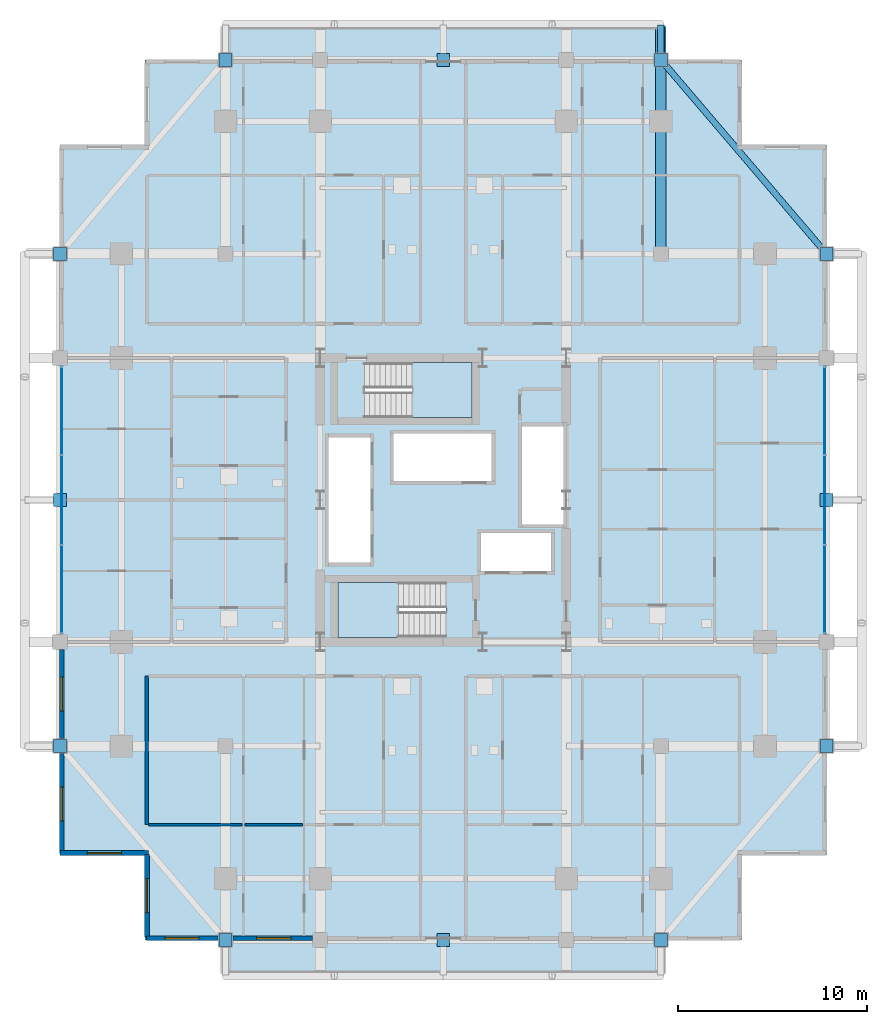
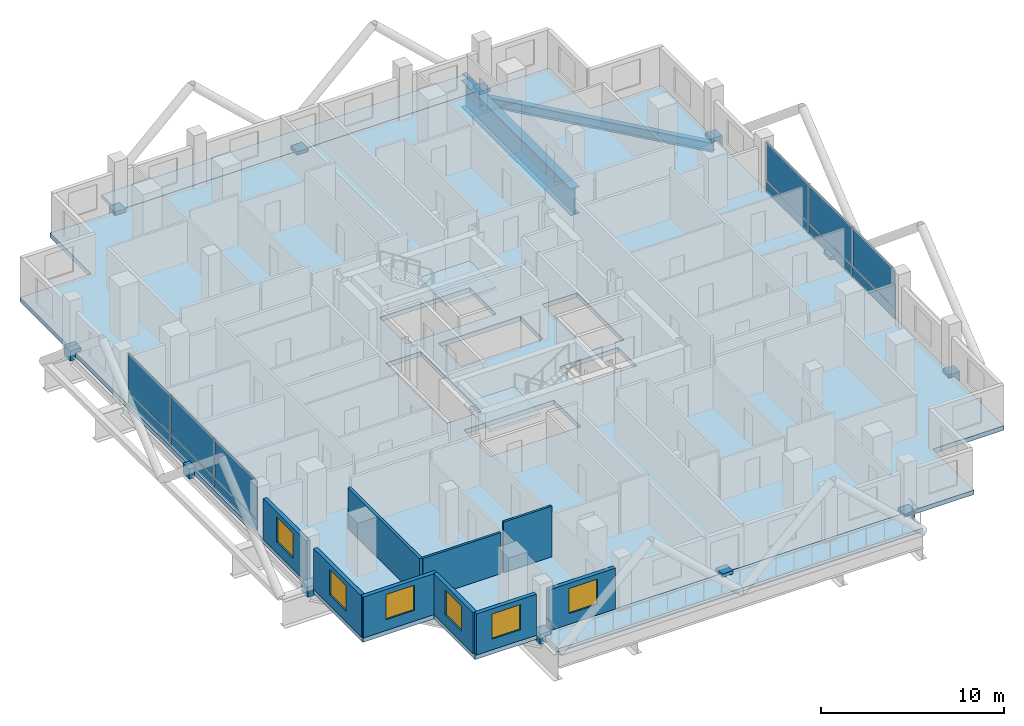
# One storey, part 13 of 21: 24 plates, 9 walls, 6 windows, 5 slabs, 2 beams, 1 member, 6 openings, 4 elements without a shape of their own.
"""IFC4 building model written with IfcOpenShell, lengths in metres."""

from ifc_helpers import new_model, si_unit, direction, frame, frame_2d, origin, origin_2d, place, context, subcontext, project, spatial, polyline, rectangle, hollow_circle, i_section, outline, extrude, material, layer, layer_set, material_profile, profile_set, type_object, element, fill, aggregate, save


model = new_model("IFC4")

# Units and contexts
model_context = context("Model", 3, precision=1e-05, world=origin(), true_north=direction((0.0, 1.0)))
body_context = subcontext(model_context, "Body", "Model", "MODEL_VIEW")
ifc_project = project(units=[si_unit("LENGTHUNIT", "METRE"), si_unit("AREAUNIT", "SQUARE_METRE"), si_unit("VOLUMEUNIT", "CUBIC_METRE"), si_unit("PLANEANGLEUNIT", "RADIAN"), si_unit("MASSUNIT", "GRAM", prefix="KILO")], contexts=[model_context])

# Site, building, storey
site_placement = place(None, origin())
site = spatial("IfcSite", under=ifc_project, at=site_placement, CompositionType="ELEMENT")
building_placement = place(site_placement, origin())
building = spatial("IfcBuilding", under=site, at=building_placement, Name="Barlavira Tower and Art Museum", CompositionType="ELEMENT")
storey_placement = place(building_placement, frame((0.0, 0.0, 99.0)))
storey = spatial("IfcBuildingStorey", under=building, at=storey_placement, Name="L24", CompositionType="ELEMENT", Elevation=99.0)

# Member
ifc_material_1 = material(Name="Steel S355", Category="steel")
ifc_material_profile_1 = material_profile(ifc_material_1, hollow_circle(Radius=0.177734375, WallThickness=0.01611328125, at=origin_2d()), Name="CHS 355.6x16.0")
ifc_profile_set_1 = profile_set([ifc_material_profile_1], Name="Steel S355")
member_type = type_object("IfcMemberType", Name="Pale-Metal Exoskeleton Tie Strut CHS 356x16 Steel S355", PredefinedType="STRUT", material=ifc_profile_set_1)
member_placement = place(storey_placement, frame((11.5, 25.10009765625, -0.1201171875), z_axis=(0.0, -1.0, 0.0), x_axis=(1.0, 0.0, 0.0)))
element("IfcMember", 1, at=member_placement, inside=storey, type_object=member_type, Name="L24 Exoskeleton Tie Strut N3", PredefinedType="STRUT", context=body_context, shape_type="SweptSolid", body=[
    extrude(hollow_circle(Radius=0.177734375, WallThickness=0.01611328125, at=origin_2d()), origin(), (0.0, 0.0, 1.0), 1.85009765625),
])

# Beams
ifc_material_profile_2 = material_profile(ifc_material_1, i_section(OverallWidth=0.327880859375, OverallDepth=0.62890625, WebThickness=0.013916015625, FlangeThickness=0.021484375, at=origin_2d()), Name="W610x174.0")
ifc_profile_set_2 = profile_set([ifc_material_profile_2], Name="Steel S355")
beam_type_1 = type_object("IfcBeamType", Name="Perimeter Spandrel Edge Beam W610x174 Steel S355", PredefinedType="SPANDREL", material=ifc_profile_set_2)
beam_1_placement = place(storey_placement, frame((20.25, 13.0, -0.614501953125), z_axis=(-0.649262379928, 0.760564502202, 0.0), x_axis=(-0.760564502202, -0.649262379928, 0.0)))
element("IfcBeam", 2, at=beam_1_placement, inside=storey, type_object=beam_type_1, Name="L24 Spandrel 8", PredefinedType="SPANDREL", context=body_context, shape_type="SweptSolid", body=[
    extrude(i_section(OverallWidth=0.327880859375, OverallDepth=0.62890625, WebThickness=0.013916015625, FlangeThickness=0.021484375, at=origin_2d()), origin(), (0.0, 0.0, 1.0), 13.476806640625),
])
ifc_material_profile_3 = material_profile(ifc_material_1, i_section(OverallWidth=0.550048828125, OverallDepth=1.800048828125, WebThickness=0.02587890625, FlangeThickness=0.033935546875, at=origin_2d()), Name="CVS1800x520")
ifc_profile_set_3 = profile_set([ifc_material_profile_3], Name="Steel S355")
beam_type_2 = type_object("IfcBeamType", Name="Zone Setback Transfer Girder CVS1800x520 Steel S355", PredefinedType="USERDEFINED", material=ifc_profile_set_3)
beam_2_placement = place(storey_placement, frame((11.5, 13.0, -1.199951171875), z_axis=(0.0, 1.0, 0.0), x_axis=(-1.0, 0.0, 0.0)))
element("IfcBeam", 3, at=beam_2_placement, inside=storey, type_object=beam_type_2, Name="L24 Setback Transfer Girder TGL24-06", ObjectType="TRANSFER GIRDER", PredefinedType="USERDEFINED", context=body_context, shape_type="SweptSolid", body=[
    extrude(i_section(OverallWidth=0.550048828125, OverallDepth=1.800048828125, WebThickness=0.02587890625, FlangeThickness=0.033935546875, at=origin_2d()), origin(), (0.0, 0.0, 1.0), 12.0),
])

# Slabs
ifc_material_2 = material(Name="Concrete C50", Category="concrete")
ifc_layer_1 = layer(ifc_material_2, 0.239990234375, Name="Concrete C50")
ifc_layer_set_1 = layer_set([ifc_layer_1], Name="Concrete C50")
slab_type_1 = type_object("IfcSlabType", Name="Cascading Garden and Lookout Terrace Slab 240 Concrete C50", PredefinedType="FLOOR", material=ifc_layer_set_1)
slab_1_placement = place(storey_placement, frame((0.0, 0.0, -0.239990234375)))
element("IfcSlab", 4, at=slab_1_placement, inside=storey, type_object=slab_type_1, Name="L24 South Setback Terrace Slab", PredefinedType="FLOOR", context=body_context, shape_type="SweptSolid", body=[
    extrude(outline(polyline([(-11.5, -25.0), (11.5, -25.0), (11.5, -23.25), (-11.5, -23.25), (-11.5, -25.0)])), origin(), (0.0, 0.0, 1.0), 0.239990234375),
])
slab_2_placement = place(storey_placement, frame((0.0, 0.0, -0.239990234375)))
element("IfcSlab", 5, at=slab_2_placement, inside=storey, type_object=slab_type_1, Name="L24 North Setback Terrace Slab", PredefinedType="FLOOR", context=body_context, shape_type="SweptSolid", body=[
    extrude(outline(polyline([(-11.5, 23.25), (11.5, 23.25), (11.5, 25.0), (-11.5, 25.0), (-11.5, 23.25)])), origin(), (0.0, 0.0, 1.0), 0.239990234375),
])

# Curtain wall, plates
ifc_material_3 = material(Name="Low-iron coastal laminated glass", Category="glass")
ifc_layer_2 = layer(ifc_material_3, 0.18994140625, Name="Low-iron coastal laminated glass")
ifc_layer_set_2 = layer_set([ifc_layer_2], Name="Low-iron coastal laminated glass")
curtain_wall_type = type_object("IfcCurtainWallType", Name="Pale-Metal Unitised Curtain Wall Zone 2", PredefinedType="NOTDEFINED", material=ifc_layer_set_2)
curtain_wall_1_placement = place(storey_placement, origin())
curtain_wall_1 = element("IfcCurtainWall", 6, at=curtain_wall_1_placement, inside=storey, type_object=curtain_wall_type, Name="L24 Curtain Wall CW2-L24-W-B3", PredefinedType="NOTDEFINED")
ifc_material_4 = material(Name="Pale anodised aluminium", Category="aluminium")
ifc_layer_3 = layer(ifc_material_4, 0.044921875, Name="Pale anodised aluminium")
ifc_layer_set_3 = layer_set([ifc_layer_3], Name="Pale anodised aluminium")
plate_type_1 = type_object("IfcPlateType", Name="Curtain Wall Pale-Metal Spandrel Panel 45", PredefinedType="CURTAIN_PANEL", material=ifc_layer_set_3)
plate_1_placement = place(storey_placement, frame((-20.14990234375, 4.719970703125, 0.0400390625), z_axis=(0.0, 0.0, 1.0), x_axis=(0.0, -1.0, 0.0)))
plate_1 = element("IfcPlate", 7, at=plate_1_placement, type_object=plate_type_1, Name="CW2-L24-W-B3 Spandrel Panel 0", PredefinedType="CURTAIN_PANEL", context=body_context, shape_type="SweptSolid", body=[
    extrude(rectangle(XDim=4.6201171875, YDim=0.044921875, at=origin_2d()), origin(), (0.0, 0.0, 1.0), 0.6640625),
])
plate_2_placement = place(storey_placement, frame((-20.14990234375, 0.0, 0.0400390625), z_axis=(0.0, 0.0, 1.0), x_axis=(0.0, -1.0, 0.0)))
plate_2 = element("IfcPlate", 8, at=plate_2_placement, type_object=plate_type_1, Name="CW2-L24-W-B3 Spandrel Panel 1", PredefinedType="CURTAIN_PANEL", context=body_context, shape_type="SweptSolid", body=[
    extrude(rectangle(XDim=4.6201171875, YDim=0.044921875, at=origin_2d()), origin(), (0.0, 0.0, 1.0), 0.6640625),
])
plate_3_placement = place(storey_placement, frame((-20.14990234375, -4.719970703125, 0.0400390625), z_axis=(0.0, 0.0, 1.0), x_axis=(0.0, -1.0, 0.0)))
plate_3 = element("IfcPlate", 9, at=plate_3_placement, type_object=plate_type_1, Name="CW2-L24-W-B3 Spandrel Panel 2", PredefinedType="CURTAIN_PANEL", context=body_context, shape_type="SweptSolid", body=[
    extrude(rectangle(XDim=4.6201171875, YDim=0.044921875, at=origin_2d()), origin(), (0.0, 0.0, 1.0), 0.6640625),
])

curtain_wall_2_placement = place(storey_placement, origin())
curtain_wall_2 = element("IfcCurtainWall", 10, at=curtain_wall_2_placement, inside=storey, type_object=curtain_wall_type, Name="L24 Curtain Wall CW2-L24-E-B3", PredefinedType="NOTDEFINED")
plate_4_placement = place(storey_placement, frame((20.14990234375, -4.719970703125, 0.0400390625), z_axis=(0.0, 0.0, 1.0), x_axis=(0.0, 1.0, 0.0)))
plate_4 = element("IfcPlate", 11, at=plate_4_placement, type_object=plate_type_1, Name="CW2-L24-E-B3 Spandrel Panel 0", PredefinedType="CURTAIN_PANEL", context=body_context, shape_type="SweptSolid", body=[
    extrude(rectangle(XDim=4.6201171875, YDim=0.044921875, at=origin_2d()), origin(), (0.0, 0.0, 1.0), 0.6640625),
])
plate_5_placement = place(storey_placement, frame((20.14990234375, 0.0, 0.0400390625), z_axis=(0.0, 0.0, 1.0), x_axis=(0.0, 1.0, 0.0)))
plate_5 = element("IfcPlate", 12, at=plate_5_placement, type_object=plate_type_1, Name="CW2-L24-E-B3 Spandrel Panel 1", PredefinedType="CURTAIN_PANEL", context=body_context, shape_type="SweptSolid", body=[
    extrude(rectangle(XDim=4.6201171875, YDim=0.044921875, at=origin_2d()), origin(), (0.0, 0.0, 1.0), 0.6640625),
])
plate_6_placement = place(storey_placement, frame((20.14990234375, 4.719970703125, 0.0400390625), z_axis=(0.0, 0.0, 1.0), x_axis=(0.0, 1.0, 0.0)))
plate_6 = element("IfcPlate", 13, at=plate_6_placement, type_object=plate_type_1, Name="CW2-L24-E-B3 Spandrel Panel 2", PredefinedType="CURTAIN_PANEL", context=body_context, shape_type="SweptSolid", body=[
    extrude(rectangle(XDim=4.6201171875, YDim=0.044921875, at=origin_2d()), origin(), (0.0, 0.0, 1.0), 0.6640625),
])

# Plate
ifc_layer_4 = layer(ifc_material_3, 0.028076171875, Name="Low-iron coastal laminated glass")
ifc_layer_set_4 = layer_set([ifc_layer_4], Name="Low-iron coastal laminated glass")
plate_type_2 = type_object("IfcPlateType", Name="Curtain Wall Vision Glazing Panel 28", PredefinedType="CURTAIN_PANEL", material=ifc_layer_set_4)
plate_7_placement = place(storey_placement, frame((-20.14990234375, 4.719970703125, 0.7841796875), z_axis=(0.0, 0.0, 1.0), x_axis=(0.0, -1.0, 0.0)))
plate_7 = element("IfcPlate", 14, at=plate_7_placement, type_object=plate_type_2, Name="CW2-L24-W-B3 Vision Glass Panel 0", PredefinedType="CURTAIN_PANEL", context=body_context, shape_type="SweptSolid", body=[
    extrude(rectangle(XDim=4.6201171875, YDim=0.028076171875, at=origin_2d()), origin(), (0.0, 0.0, 1.0), 2.555908203125),
])

plate_8_placement = place(storey_placement, frame((-20.14990234375, 0.0, 0.7841796875), z_axis=(0.0, 0.0, 1.0), x_axis=(0.0, -1.0, 0.0)))
plate_8 = element("IfcPlate", 15, at=plate_8_placement, type_object=plate_type_2, Name="CW2-L24-W-B3 Vision Glass Panel 1", PredefinedType="CURTAIN_PANEL", context=body_context, shape_type="SweptSolid", body=[
    extrude(rectangle(XDim=4.6201171875, YDim=0.028076171875, at=origin_2d()), origin(), (0.0, 0.0, 1.0), 2.555908203125),
])

plate_9_placement = place(storey_placement, frame((-20.14990234375, -4.719970703125, 0.7841796875), z_axis=(0.0, 0.0, 1.0), x_axis=(0.0, -1.0, 0.0)))
plate_9 = element("IfcPlate", 16, at=plate_9_placement, type_object=plate_type_2, Name="CW2-L24-W-B3 Vision Glass Panel 2", PredefinedType="CURTAIN_PANEL", context=body_context, shape_type="SweptSolid", body=[
    extrude(rectangle(XDim=4.6201171875, YDim=0.028076171875, at=origin_2d()), origin(), (0.0, 0.0, 1.0), 2.555908203125),
])

aggregate(curtain_wall_1, [plate_1, plate_7, plate_2, plate_8, plate_3, plate_9])

plate_10_placement = place(storey_placement, frame((20.14990234375, -4.719970703125, 0.7841796875), z_axis=(0.0, 0.0, 1.0), x_axis=(0.0, 1.0, 0.0)))
plate_10 = element("IfcPlate", 17, at=plate_10_placement, type_object=plate_type_2, Name="CW2-L24-E-B3 Vision Glass Panel 0", PredefinedType="CURTAIN_PANEL", context=body_context, shape_type="SweptSolid", body=[
    extrude(rectangle(XDim=4.6201171875, YDim=0.028076171875, at=origin_2d()), origin(), (0.0, 0.0, 1.0), 2.555908203125),
])

plate_11_placement = place(storey_placement, frame((20.14990234375, 0.0, 0.7841796875), z_axis=(0.0, 0.0, 1.0), x_axis=(0.0, 1.0, 0.0)))
plate_11 = element("IfcPlate", 18, at=plate_11_placement, type_object=plate_type_2, Name="CW2-L24-E-B3 Vision Glass Panel 1", PredefinedType="CURTAIN_PANEL", context=body_context, shape_type="SweptSolid", body=[
    extrude(rectangle(XDim=4.6201171875, YDim=0.028076171875, at=origin_2d()), origin(), (0.0, 0.0, 1.0), 2.555908203125),
])

plate_12_placement = place(storey_placement, frame((20.14990234375, 4.719970703125, 0.7841796875), z_axis=(0.0, 0.0, 1.0), x_axis=(0.0, 1.0, 0.0)))
plate_12 = element("IfcPlate", 19, at=plate_12_placement, type_object=plate_type_2, Name="CW2-L24-E-B3 Vision Glass Panel 2", PredefinedType="CURTAIN_PANEL", context=body_context, shape_type="SweptSolid", body=[
    extrude(rectangle(XDim=4.6201171875, YDim=0.028076171875, at=origin_2d()), origin(), (0.0, 0.0, 1.0), 2.555908203125),
])

aggregate(curtain_wall_2, [plate_4, plate_10, plate_5, plate_11, plate_6, plate_12])

# Plates
ifc_layer_5 = layer(ifc_material_1, 0.679931640625, Name="Steel S355")
ifc_layer_set_5 = layer_set([ifc_layer_5], Name="Steel S355")
plate_type_3 = type_object("IfcPlateType", Name="Exoskeleton Tie-Back Solid Cap Plate Assembly Type 5 Steel S355", PredefinedType="USERDEFINED", material=ifc_layer_set_5)
for number, where, z_axis, x_axis, name in (
    (20, (-11.5, -23.25, -0.4599609375), (0.0, 0.0, 1.0), (1.0, 0.0, 0.0), "Slab Edge Tie Cap Plate S1 ND-L24-0254"),
    (21, (0.0, -23.25, -0.4599609375), (0.0, 0.0, 1.0), (1.0, 0.0, 0.0), "Slab Edge Tie Cap Plate S2 ND-L24-0255"),
    (22, (11.5, -23.25, -0.4599609375), (0.0, 0.0, 1.0), (1.0, 0.0, 0.0), "Slab Edge Tie Cap Plate S3 ND-L24-0256"),
    (23, (-11.5, 23.25, -0.4599609375), (0.0, 0.0, 1.0), (1.0, 0.0, 0.0), "Slab Edge Tie Cap Plate N1 ND-L24-0262"),
    (24, (0.0, 23.25, -0.4599609375), (0.0, 0.0, 1.0), (1.0, 0.0, 0.0), "Slab Edge Tie Cap Plate N2 ND-L24-0263"),
    (25, (11.5, 23.25, -0.4599609375), (0.0, 0.0, 1.0), (1.0, 0.0, 0.0), "Slab Edge Tie Cap Plate N3 ND-L24-0264"),
    (26, (-20.25, -13.0, -0.4599609375), (0.0, 0.0, 1.0), (1.0, 0.0, 0.0), "Slab Edge Tie Cap Plate W1 ND-L24-0270"),
    (27, (-20.25, 0.0, -0.4599609375), (0.0, 0.0, 1.0), (1.0, 0.0, 0.0), "Slab Edge Tie Cap Plate W2 ND-L24-0271"),
    (28, (-20.25, 13.0, -0.4599609375), (0.0, 0.0, 1.0), (1.0, 0.0, 0.0), "Slab Edge Tie Cap Plate W3 ND-L24-0272"),
    (29, (20.25, -13.0, -0.4599609375), (0.0, 0.0, 1.0), (1.0, 0.0, 0.0), "Slab Edge Tie Cap Plate E1 ND-L24-0278"),
    (30, (20.25, 0.0, -0.4599609375), (0.0, 0.0, 1.0), (1.0, 0.0, 0.0), "Slab Edge Tie Cap Plate E2 ND-L24-0279"),
    (31, (20.25, 13.0, -0.4599609375), (0.0, 0.0, 1.0), (1.0, 0.0, 0.0), "Slab Edge Tie Cap Plate E3 ND-L24-0280"),
):
    element("IfcPlate", number, at=place(storey_placement, frame(where, z_axis=z_axis, x_axis=x_axis)), inside=storey, type_object=plate_type_3, Name=name, ObjectType="FLANGE_PLATE", PredefinedType="USERDEFINED", context=body_context, shape_type="SweptSolid", body=[
        extrude(rectangle(XDim=0.679931640625, YDim=0.679931640625, at=origin_2d()), origin(), (0.0, 0.0, 1.0), 0.679931640625),
    ])

# Stair, slab
ifc_material_5 = material(Name="Concrete C45", Category="concrete")
stair_type_1 = type_object("IfcStairType", Name="Tower North Dog-Leg Exit Stair Assembly Concrete C45", PredefinedType="TWO_QUARTER_TURN_STAIR", material=ifc_material_5)
stair_1_placement = place(storey_placement, origin())
stair_1 = element("IfcStair", 32, at=stair_1_placement, inside=storey, type_object=stair_type_1, Name="L24 Tower North Exit Stair ST-T2", PredefinedType="TWO_QUARTER_TURN_STAIR")
ifc_layer_6 = layer(ifc_material_5, 0.199951171875, Name="Concrete C45")
ifc_layer_set_6 = layer_set([ifc_layer_6], Name="Concrete C45")
slab_type_2 = type_object("IfcSlabType", Name="Tower North Dog-Leg Exit Stair Half-Landing Slab 200 Concrete C45", PredefinedType="LANDING", material=ifc_layer_set_6)
slab_3_placement = place(storey_placement, frame((0.0, 0.0, 1.60009765625)))
slab_3 = element("IfcSlab", 33, at=slab_3_placement, type_object=slab_type_2, Name="ST-T2 landing 1", PredefinedType="LANDING", context=body_context, shape_type="SweptSolid", body=[
    extrude(outline(polyline([(-1.64990234375, 4.35009765625), (1.530029296875, 4.35009765625), (1.530029296875, 7.25), (-1.64990234375, 7.25), (-1.64990234375, 4.35009765625)])), origin(), (0.0, 0.0, 1.0), 0.199951171875),
])
aggregate(stair_1, [slab_3])

stair_type_2 = type_object("IfcStairType", Name="Tower South Dog-Leg Exit Stair Assembly Concrete C45", PredefinedType="TWO_QUARTER_TURN_STAIR", material=ifc_material_5)
stair_2_placement = place(storey_placement, origin())
stair_2 = element("IfcStair", 34, at=stair_2_placement, inside=storey, type_object=stair_type_2, Name="L24 Tower South Exit Stair ST-T1", PredefinedType="TWO_QUARTER_TURN_STAIR")
ifc_layer_7 = layer(ifc_material_5, 0.199951171875, Name="Concrete C45")
ifc_layer_set_7 = layer_set([ifc_layer_7], Name="Concrete C45")
slab_type_3 = type_object("IfcSlabType", Name="Tower South Dog-Leg Exit Stair Half-Landing Slab 200 Concrete C45", PredefinedType="LANDING", material=ifc_layer_set_7)
slab_4_placement = place(storey_placement, frame((0.0, 0.0, 1.60009765625)))
slab_4 = element("IfcSlab", 35, at=slab_4_placement, type_object=slab_type_3, Name="ST-T1 landing 1", PredefinedType="LANDING", context=body_context, shape_type="SweptSolid", body=[
    extrude(outline(polyline([(-2.3701171875, -4.35009765625), (-5.550048828125, -4.35009765625), (-5.550048828125, -7.25), (-2.3701171875, -7.25), (-2.3701171875, -4.35009765625)])), origin(), (0.0, 0.0, 1.0), 0.199951171875),
])
aggregate(stair_2, [slab_4])

# Slab
ifc_layer_8 = layer(ifc_material_2, 0.2099609375, Name="Concrete C50")
ifc_layer_set_8 = layer_set([ifc_layer_8], Name="Concrete C50")
slab_type_4 = type_object("IfcSlabType", Name="Zone 2 Residential Composite Slab 210 Concrete C50", PredefinedType="FLOOR", material=ifc_layer_set_8)
slab_5_placement = place(storey_placement, frame((0.0, 0.0, -0.300048828125)))
element("IfcSlab", 36, at=slab_5_placement, inside=storey, type_object=slab_type_4, Name="L24 Tower Floor Slab", PredefinedType="FLOOR", context=body_context, shape_type="SweptSolid", body=[
    extrude(outline(polyline([(-15.75, -23.25), (15.75, -23.25), (15.75, -18.75), (20.25, -18.75), (20.25, 18.75), (15.75, 18.75), (15.75, 23.25), (-15.75, 23.25), (-15.75, 18.75), (-20.25, 18.75), (-20.25, -18.75), (-15.75, -18.75), (-15.75, -23.25)]), holes=[polyline([(0.14990234375, -4.35009765625), (-5.550048828125, -4.35009765625), (-5.550048828125, -7.25), (0.14990234375, -7.25), (0.14990234375, -4.35009765625)]), polyline([(-4.169921875, 4.35009765625), (1.530029296875, 4.35009765625), (1.530029296875, 7.25), (-4.169921875, 7.25), (-4.169921875, 4.35009765625)]), polyline([(-6.050048828125, -3.31005859375), (-3.85009765625, -3.31005859375), (-3.85009765625, 3.31005859375), (-6.050048828125, 3.31005859375), (-6.050048828125, -3.31005859375)]), polyline([(4.14990234375, -1.2900390625), (6.35009765625, -1.2900390625), (6.35009765625, 3.889892578125), (4.14990234375, 3.889892578125), (4.14990234375, -1.2900390625)]), polyline([(-2.6201171875, 1.0), (2.56005859375, 1.0), (2.56005859375, 3.5), (-2.6201171875, 3.5), (-2.6201171875, 1.0)]), polyline([(2.0, -3.75), (5.699951171875, -3.75), (5.699951171875, -1.75), (2.0, -1.75), (2.0, -3.75)])]), origin(), (0.0, 0.0, 1.0), 0.300048828125),
])

# Walls
ifc_material_6 = material(Name="Gypsum acoustic stud partition", Category="gypsum")
ifc_layer_9 = layer(ifc_material_6, 0.179931640625, Name="Gypsum acoustic stud partition")
ifc_layer_set_9 = layer_set([ifc_layer_9], Name="Gypsum acoustic stud partition")
wall_type_1 = type_object("IfcWallType", Name="Inter-Tenancy Party Partition Wall 180", PredefinedType="PARTITIONING", material=ifc_layer_set_9)
wall_1_placement = place(storey_placement, frame((-15.64990234375, -17.14990234375, 0.0), z_axis=(0.0, 0.0, 1.0), x_axis=(0.0, 1.0, 0.0)))
element("IfcWall", 37, at=wall_1_placement, inside=storey, type_object=wall_type_1, Name="L24 Partition Wall 1", PredefinedType="PARTITIONING", context=body_context, shape_type="SweptSolid", body=[
    extrude(rectangle(XDim=7.849853515625, YDim=0.179931640625, at=frame_2d((3.9248046875, 0.0))), origin(), (0.0, 0.0, 1.0), 2.736083984375),
])
ifc_layer_10 = layer(ifc_material_6, 0.139892578125, Name="Gypsum acoustic stud partition")
ifc_layer_set_10 = layer_set([ifc_layer_10], Name="Gypsum acoustic stud partition")
wall_type_2 = type_object("IfcWallType", Name="Moisture-Resistant Bathroom Partition 140", PredefinedType="PARTITIONING", material=ifc_layer_set_10)
wall_2_placement = place(storey_placement, frame((-15.570068359375, -17.14990234375, 0.0), z_axis=(0.0, 0.0, 1.0), x_axis=(1.0, 0.0, 0.0)))
element("IfcWall", 38, at=wall_2_placement, inside=storey, type_object=wall_type_2, Name="L24 Partition Wall 26", PredefinedType="PARTITIONING", context=body_context, shape_type="SweptSolid", body=[
    extrude(rectangle(XDim=4.940185546875, YDim=0.139892578125, at=frame_2d((2.47021484375, 0.0))), origin(), (0.0, 0.0, 1.0), 2.736083984375),
])
wall_3_placement = place(storey_placement, frame((-10.469970703125, -17.14990234375, 0.0), z_axis=(0.0, 0.0, 1.0), x_axis=(1.0, 0.0, 0.0)))
element("IfcWall", 39, at=wall_3_placement, inside=storey, type_object=wall_type_2, Name="L24 Partition Wall 27", PredefinedType="PARTITIONING", context=body_context, shape_type="SweptSolid", body=[
    extrude(rectangle(XDim=3.0400390625, YDim=0.139892578125, at=frame_2d((1.52001953125, 0.0))), origin(), (0.0, 0.0, 1.0), 3.3798828125),
])

# Wall, opening, window
ifc_material_7 = material(Name="Precast concrete C40", Category="concrete")
ifc_layer_11 = layer(ifc_material_7, 0.25, Name="Precast concrete C40")
ifc_layer_set_11 = layer_set([ifc_layer_11], Name="Precast concrete C40")
wall_type_3 = type_object("IfcWallType", Name="Notched Corner Spandrel Wall 250 Precast Concrete C40", PredefinedType="SOLIDWALL", material=ifc_layer_set_11)
wall_4_placement = place(storey_placement, frame((-15.675048828125, -23.14990234375, 0.0), z_axis=(0.0, 0.0, 1.0), x_axis=(1.0, 0.0, 0.0)))
wall_4 = element("IfcWall", 40, at=wall_4_placement, inside=storey, type_object=wall_type_3, Name="L24 Coastal Facade Pier Wall CW2-L24-SL-1", PredefinedType="SOLIDWALL", context=body_context, shape_type="SweptSolid", body=[
    extrude(rectangle(XDim=3.780029296875, YDim=0.25, at=frame_2d((1.89013671875, 0.0))), origin(), (0.0, 0.0, 1.0), 2.736083984375),
])
opening_1_placement = place(wall_4_placement, frame((0.968017578125, 0.0, 0.719970703125)))
opening_1 = element("IfcOpeningElement", 41, at=opening_1_placement, cuts=wall_4, Name="Opening WN-01", PredefinedType="OPENING", context=body_context, shape_type="SweptSolid", body=[
    extrude(rectangle(XDim=1.800048828125, YDim=1.679931640625, at=frame_2d((0.89990234375, 0.83984375))), frame((0.0, 0.135009765625, 0.0), z_axis=(0.0, -1.0, 0.0), x_axis=(1.0, 0.0, 0.0)), (0.0, 0.0, 1.0), 0.27001953125),
])
window_type = type_object("IfcWindowType", Name="Recessed Notch Corner Punch Window 1800x1680", PartitioningType="SINGLE_PANEL", PredefinedType="WINDOW", material=ifc_material_3)
window_1_placement = place(opening_1_placement, origin())
window_1 = element("IfcWindow", 42, at=window_1_placement, inside=storey, type_object=window_type, Name="L24 Punched Facade Window EWP-CW2-L24-SL-1-1", OverallHeight=1.679931640625, OverallWidth=1.800048828125, PartitioningType="SINGLE_PANEL", PredefinedType="WINDOW", context=body_context, shape_type="SweptSolid", body=[
    extrude(rectangle(XDim=1.800048828125, YDim=1.679931640625, at=frame_2d((0.89990234375, 0.83984375))), frame((0.0, 0.030029296875, 0.0), z_axis=(0.0, -1.0, 0.0), x_axis=(1.0, 0.0, 0.0)), (0.0, 0.0, 1.0), 0.06005859375),
])
fill(opening_1, window_1)

wall_5_placement = place(storey_placement, frame((-11.10498046875, -23.14990234375, 0.0), z_axis=(0.0, 0.0, 1.0), x_axis=(1.0, 0.0, 0.0)))
wall_5 = element("IfcWall", 43, at=wall_5_placement, inside=storey, type_object=wall_type_3, Name="L24 Coastal Facade Pier Wall CW2-L24-SL-2", PredefinedType="SOLIDWALL", context=body_context, shape_type="SweptSolid", body=[
    extrude(rectangle(XDim=4.2099609375, YDim=0.25, at=frame_2d((2.10498046875, 0.0))), origin(), (0.0, 0.0, 1.0), 2.736083984375),
])
opening_2_placement = place(wall_5_placement, frame((1.2548828125, 0.0, 0.719970703125)))
opening_2 = element("IfcOpeningElement", 44, at=opening_2_placement, cuts=wall_5, Name="Opening WN-01", PredefinedType="OPENING", context=body_context, shape_type="SweptSolid", body=[
    extrude(rectangle(XDim=1.800048828125, YDim=1.679931640625, at=frame_2d((0.89990234375, 0.83984375))), frame((0.0, 0.135009765625, 0.0), z_axis=(0.0, -1.0, 0.0), x_axis=(1.0, 0.0, 0.0)), (0.0, 0.0, 1.0), 0.27001953125),
])
window_2_placement = place(opening_2_placement, origin())
window_2 = element("IfcWindow", 45, at=window_2_placement, inside=storey, type_object=window_type, Name="L24 Punched Facade Window EWP-CW2-L24-SL-2-1", OverallHeight=1.679931640625, OverallWidth=1.800048828125, PartitioningType="SINGLE_PANEL", PredefinedType="WINDOW", context=body_context, shape_type="SweptSolid", body=[
    extrude(rectangle(XDim=1.800048828125, YDim=1.679931640625, at=frame_2d((0.89990234375, 0.83984375))), frame((0.0, 0.030029296875, 0.0), z_axis=(0.0, -1.0, 0.0), x_axis=(1.0, 0.0, 0.0)), (0.0, 0.0, 1.0), 0.06005859375),
])
fill(opening_2, window_2)

wall_6_placement = place(storey_placement, frame((-20.14990234375, -7.89501953125, 0.0), z_axis=(0.0, 0.0, 1.0), x_axis=(0.0, -1.0, 0.0)))
wall_6 = element("IfcWall", 46, at=wall_6_placement, inside=storey, type_object=wall_type_3, Name="L24 Coastal Facade Pier Wall CW2-L24-W-4", PredefinedType="SOLIDWALL", context=body_context, shape_type="SweptSolid", body=[
    extrude(rectangle(XDim=4.7099609375, YDim=0.25, at=frame_2d((2.35498046875, 0.0))), origin(), (0.0, 0.0, 1.0), 2.736083984375),
])
opening_3_placement = place(wall_6_placement, frame((1.455078125, 0.0, 0.719970703125)))
opening_3 = element("IfcOpeningElement", 47, at=opening_3_placement, cuts=wall_6, Name="Opening WN-01", PredefinedType="OPENING", context=body_context, shape_type="SweptSolid", body=[
    extrude(rectangle(XDim=1.800048828125, YDim=1.679931640625, at=frame_2d((0.89990234375, 0.83984375))), frame((0.0, 0.135009765625, 0.0), z_axis=(0.0, -1.0, 0.0), x_axis=(1.0, 0.0, 0.0)), (0.0, 0.0, 1.0), 0.27001953125),
])
window_3_placement = place(opening_3_placement, origin())
window_3 = element("IfcWindow", 48, at=window_3_placement, inside=storey, type_object=window_type, Name="L24 Punched Facade Window EWP-CW2-L24-W-4-1", OverallHeight=1.679931640625, OverallWidth=1.800048828125, PartitioningType="SINGLE_PANEL", PredefinedType="WINDOW", context=body_context, shape_type="SweptSolid", body=[
    extrude(rectangle(XDim=1.800048828125, YDim=1.679931640625, at=frame_2d((0.89990234375, 0.83984375))), frame((0.0, 0.030029296875, 0.0), z_axis=(0.0, -1.0, 0.0), x_axis=(1.0, 0.0, 0.0)), (0.0, 0.0, 1.0), 0.06005859375),
])
fill(opening_3, window_3)

wall_7_placement = place(storey_placement, frame((-20.14990234375, -13.39501953125, 0.0), z_axis=(0.0, 0.0, 1.0), x_axis=(0.0, -1.0, 0.0)))
wall_7 = element("IfcWall", 49, at=wall_7_placement, inside=storey, type_object=wall_type_3, Name="L24 Coastal Facade Pier Wall CW2-L24-W-5", PredefinedType="SOLIDWALL", context=body_context, shape_type="SweptSolid", body=[
    extrude(rectangle(XDim=5.280029296875, YDim=0.25, at=frame_2d((2.64013671875, 0.0))), origin(), (0.0, 0.0, 1.0), 2.736083984375),
])
opening_4_placement = place(wall_7_placement, frame((1.762939453125, 0.0, 0.719970703125)))
opening_4 = element("IfcOpeningElement", 50, at=opening_4_placement, cuts=wall_7, Name="Opening WN-01", PredefinedType="OPENING", context=body_context, shape_type="SweptSolid", body=[
    extrude(rectangle(XDim=1.800048828125, YDim=1.679931640625, at=frame_2d((0.89990234375, 0.83984375))), frame((0.0, 0.135009765625, 0.0), z_axis=(0.0, -1.0, 0.0), x_axis=(1.0, 0.0, 0.0)), (0.0, 0.0, 1.0), 0.27001953125),
])
window_4_placement = place(opening_4_placement, origin())
window_4 = element("IfcWindow", 51, at=window_4_placement, inside=storey, type_object=window_type, Name="L24 Punched Facade Window EWP-CW2-L24-W-5-1", OverallHeight=1.679931640625, OverallWidth=1.800048828125, PartitioningType="SINGLE_PANEL", PredefinedType="WINDOW", context=body_context, shape_type="SweptSolid", body=[
    extrude(rectangle(XDim=1.800048828125, YDim=1.679931640625, at=frame_2d((0.89990234375, 0.83984375))), frame((0.0, 0.030029296875, 0.0), z_axis=(0.0, -1.0, 0.0), x_axis=(1.0, 0.0, 0.0)), (0.0, 0.0, 1.0), 0.06005859375),
])
fill(opening_4, window_4)

wall_8_placement = place(storey_placement, frame((-20.22998046875, -18.64990234375, 0.0), z_axis=(0.0, 0.0, 1.0), x_axis=(1.0, 0.0, 0.0)))
wall_8 = element("IfcWall", 52, at=wall_8_placement, inside=storey, type_object=wall_type_3, Name="L24 Notch Corner Wall SW1", PredefinedType="SOLIDWALL", context=body_context, shape_type="SweptSolid", body=[
    extrude(rectangle(XDim=4.659912109375, YDim=0.25, at=frame_2d((2.330078125, 0.0))), origin(), (0.0, 0.0, 1.0), 2.736083984375),
])
opening_5_placement = place(wall_8_placement, frame((1.429931640625, 0.0, 0.719970703125)))
opening_5 = element("IfcOpeningElement", 53, at=opening_5_placement, cuts=wall_8, Name="Opening WN-01", PredefinedType="OPENING", context=body_context, shape_type="SweptSolid", body=[
    extrude(rectangle(XDim=1.800048828125, YDim=1.679931640625, at=frame_2d((0.89990234375, 0.83984375))), frame((0.0, 0.135009765625, 0.0), z_axis=(0.0, -1.0, 0.0), x_axis=(1.0, 0.0, 0.0)), (0.0, 0.0, 1.0), 0.27001953125),
])
window_5_placement = place(opening_5_placement, origin())
window_5 = element("IfcWindow", 54, at=window_5_placement, inside=storey, type_object=window_type, Name="L24 Punched Facade Window EW-NTC-L24-SW1-1", OverallHeight=1.679931640625, OverallWidth=1.800048828125, PartitioningType="SINGLE_PANEL", PredefinedType="WINDOW", context=body_context, shape_type="SweptSolid", body=[
    extrude(rectangle(XDim=1.800048828125, YDim=1.679931640625, at=frame_2d((0.89990234375, 0.83984375))), frame((0.0, 0.030029296875, 0.0), z_axis=(0.0, -1.0, 0.0), x_axis=(1.0, 0.0, 0.0)), (0.0, 0.0, 1.0), 0.06005859375),
])
fill(opening_5, window_5)

wall_9_placement = place(storey_placement, frame((-15.64990234375, -18.72998046875, 0.0), z_axis=(0.0, 0.0, 1.0), x_axis=(0.0, -1.0, 0.0)))
wall_9 = element("IfcWall", 55, at=wall_9_placement, inside=storey, type_object=wall_type_3, Name="L24 Notch Corner Wall SW2", PredefinedType="SOLIDWALL", context=body_context, shape_type="SweptSolid", body=[
    extrude(rectangle(XDim=4.340087890625, YDim=0.25, at=frame_2d((2.169921875, 0.0))), origin(), (0.0, 0.0, 1.0), 2.736083984375),
])
opening_6_placement = place(wall_9_placement, frame((1.27001953125, 0.0, 0.719970703125)))
opening_6 = element("IfcOpeningElement", 56, at=opening_6_placement, cuts=wall_9, Name="Opening WN-01", PredefinedType="OPENING", context=body_context, shape_type="SweptSolid", body=[
    extrude(rectangle(XDim=1.800048828125, YDim=1.679931640625, at=frame_2d((0.89990234375, 0.83984375))), frame((0.0, 0.135009765625, 0.0), z_axis=(0.0, -1.0, 0.0), x_axis=(1.0, 0.0, 0.0)), (0.0, 0.0, 1.0), 0.27001953125),
])
window_6_placement = place(opening_6_placement, origin())
window_6 = element("IfcWindow", 57, at=window_6_placement, inside=storey, type_object=window_type, Name="L24 Punched Facade Window EW-NTC-L24-SW2-1", OverallHeight=1.679931640625, OverallWidth=1.800048828125, PartitioningType="SINGLE_PANEL", PredefinedType="WINDOW", context=body_context, shape_type="SweptSolid", body=[
    extrude(rectangle(XDim=1.800048828125, YDim=1.679931640625, at=frame_2d((0.89990234375, 0.83984375))), frame((0.0, 0.030029296875, 0.0), z_axis=(0.0, -1.0, 0.0), x_axis=(1.0, 0.0, 0.0)), (0.0, 0.0, 1.0), 0.06005859375),
])
fill(opening_6, window_6)

save(model, "model.ifc")
